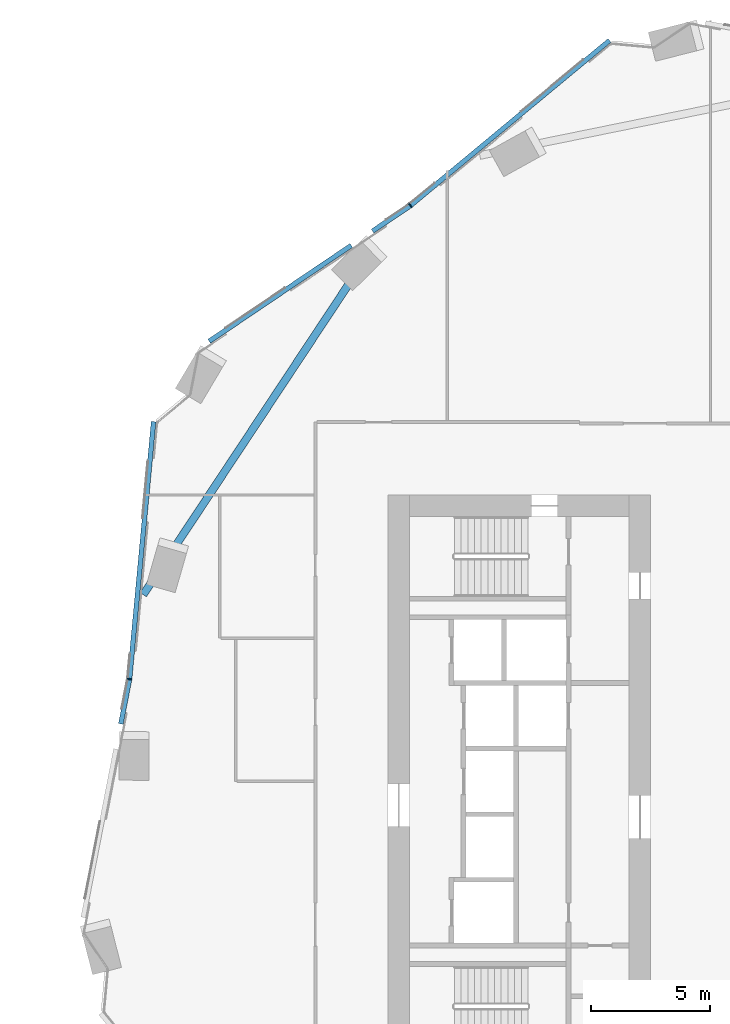
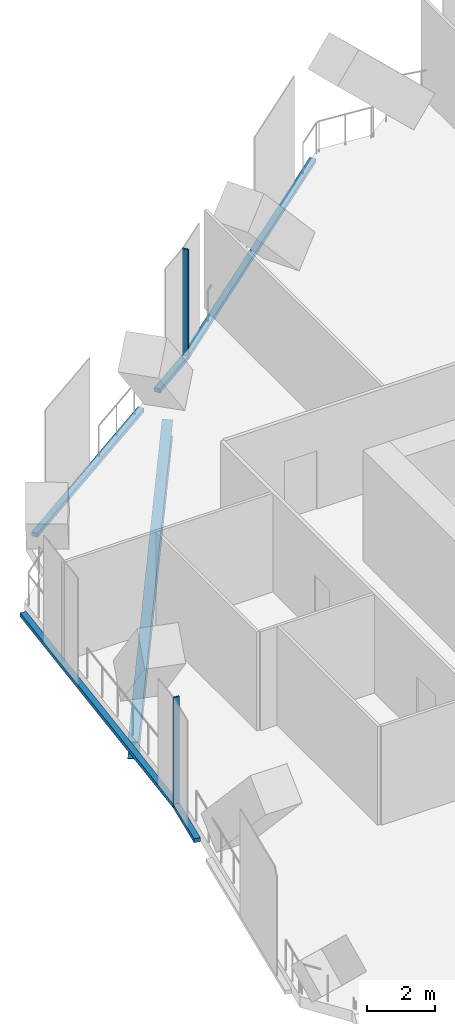
# One storey, part 9 of 28: 7 members, 1 beam, 4 elements without a shape of their own.
"""IFC4 building model written with IfcOpenShell, lengths in metres."""

from ifc_helpers import new_model, si_unit, direction, frame, origin, origin_2d, place, context, subcontext, project, spatial, rectangle, i_section, extrude, material, material_profile, profile_set, type_object, element, aggregate, save


model = new_model("IFC4")

# Units and contexts
model_context = context("Model", 3, precision=1e-05, world=origin(), true_north=direction((0.0, 1.0)))
body_context = subcontext(model_context, "Body", "Model", "MODEL_VIEW")
ifc_project = project(units=[si_unit("LENGTHUNIT", "METRE"), si_unit("AREAUNIT", "SQUARE_METRE"), si_unit("VOLUMEUNIT", "CUBIC_METRE"), si_unit("PLANEANGLEUNIT", "RADIAN"), si_unit("MASSUNIT", "GRAM", prefix="KILO")], contexts=[model_context])

# Site, building, storey
site_placement = place(None, origin())
site = spatial("IfcSite", under=ifc_project, at=site_placement, CompositionType="ELEMENT")
building_placement = place(site_placement, origin())
building = spatial("IfcBuilding", under=site, at=building_placement, Name="Orlundy Tower", CompositionType="ELEMENT")
storey_placement = place(building_placement, frame((0.0, 0.0, 163.10009765625)))
storey = spatial("IfcBuildingStorey", under=building, at=storey_placement, Name="L42", CompositionType="ELEMENT", Elevation=163.10009765625)

# Beam
ifc_material_1 = material(Name="Steel ASTM A992 Gr 50", Category="steel")
ifc_material_profile_1 = material_profile(ifc_material_1, i_section(OverallWidth=0.32373046875, OverallDepth=0.611083984375, WebThickness=0.0126953125, FlangeThickness=0.01904296875, at=origin_2d()), Name="W24X104")
ifc_profile_set_1 = profile_set([ifc_material_profile_1], Name="Steel ASTM A992 Gr 50")
beam_type = type_object("IfcBeamType", Name="CANTILEVER GIRDER beam W24X104", PredefinedType="BEAM", material=ifc_profile_set_1)
beam_placement = place(storey_placement, frame((-29.258056640625, 7.8212890625, -0.705810546875), z_axis=(0.55188459925, 0.833920493279, 0.0), x_axis=(-0.833920493279, 0.55188459925, 0.0)))
element("IfcBeam", 1, at=beam_placement, inside=storey, type_object=beam_type, Name="Cantilever girder C-H18 L42", PredefinedType="BEAM", context=body_context, shape_type="SweptSolid", body=[
    extrude(i_section(OverallWidth=0.32373046875, OverallDepth=0.611083984375, WebThickness=0.0126953125, FlangeThickness=0.01904296875, at=origin_2d()), origin(), (0.0, 0.0, 1.0), 16.64697265625),
])

# Curtain wall, member
ifc_material_2 = material(Name="Aluminium bronze anodised", Category="aluminium")
curtain_wall_type = type_object("IfcCurtainWallType", Name="CW5 wall", PredefinedType="NOTDEFINED", material=ifc_material_2)
curtain_wall_1_placement = place(storey_placement, origin())
curtain_wall_1 = element("IfcCurtainWall", 2, at=curtain_wall_1_placement, inside=storey, type_object=curtain_wall_type, Name="CW5 run 03", PredefinedType="NOTDEFINED")
ifc_material_3 = material(Name="Aluminium bronze anodised", Category="aluminium")
ifc_material_profile_2 = material_profile(ifc_material_3, rectangle(XDim=0.199951171875, YDim=0.050048828125, at=origin_2d()), Name="CW5 mullion 50x200")
ifc_profile_set_2 = profile_set([ifc_material_profile_2], Name="Aluminium bronze anodised")
member_type_1 = type_object("IfcMemberType", Name="CW5 mullion 50x200", PredefinedType="MULLION", material=ifc_profile_set_2)
member_1_placement = place(storey_placement, frame((-29.8310546875, 4.283203125, -0.400146484375), z_axis=(0.0, 0.0, 1.0), x_axis=(-0.989859275773, 0.14205144901, 0.0)))
member_1 = element("IfcMember", 3, at=member_1_placement, type_object=member_type_1, Name="CW5 mullion 5", PredefinedType="MULLION", context=body_context, shape_type="SweptSolid", body=[
    extrude(rectangle(XDim=0.199951171875, YDim=0.050048828125, at=origin_2d()), origin(), (0.0, 0.0, 1.0), 3.97998046875),
])

curtain_wall_2_placement = place(storey_placement, origin())
curtain_wall_2 = element("IfcCurtainWall", 4, at=curtain_wall_2_placement, inside=storey, type_object=curtain_wall_type, Name="CW5 run 07", PredefinedType="NOTDEFINED")
member_2_placement = place(storey_placement, frame((-18.06494140625, 24.1220703125, -0.400146484375), z_axis=(0.0, 0.0, 1.0), x_axis=(-0.599495576857, 0.800378068996, 0.0)))
member_2 = element("IfcMember", 5, at=member_2_placement, type_object=member_type_1, Name="CW5 mullion 11", PredefinedType="MULLION", context=body_context, shape_type="SweptSolid", body=[
    extrude(rectangle(XDim=0.199951171875, YDim=0.050048828125, at=origin_2d()), origin(), (0.0, 0.0, 1.0), 3.97998046875),
])

curtain_wall_3_placement = place(storey_placement, origin())
curtain_wall_3 = element("IfcCurtainWall", 6, at=curtain_wall_3_placement, inside=storey, type_object=curtain_wall_type, Name="CW5 run 02", PredefinedType="NOTDEFINED")
ifc_material_4 = material(Name="Aluminium bronze anodised", Category="aluminium")
ifc_material_profile_3 = material_profile(ifc_material_4, rectangle(XDim=0.199951171875, YDim=0.139892578125, at=origin_2d()), Name="CW5 transom 200x140")
ifc_profile_set_3 = profile_set([ifc_material_profile_3], Name="Aluminium bronze anodised")
member_type_2 = type_object("IfcMemberType", Name="CW5 transom 200x140", PredefinedType="USERDEFINED", material=ifc_profile_set_3)
member_3_placement = place(storey_placement, frame((-30.19580078125, 2.406982421875, -0.330078125), z_axis=(0.190786512363, 0.981631553436, 0.0), x_axis=(-0.981631553436, 0.190786512363, 0.0)))
member_3 = element("IfcMember", 7, at=member_3_placement, type_object=member_type_2, Name="CW5 transom", ObjectType="TRANSOM", PredefinedType="USERDEFINED", context=body_context, shape_type="SweptSolid", body=[
    extrude(rectangle(XDim=0.199951171875, YDim=0.139892578125, at=origin_2d()), origin(), (0.0, 0.0, 1.0), 1.88623046875),
])
aggregate(curtain_wall_3, [member_3])

# Member
member_4_placement = place(storey_placement, frame((-29.828857421875, 4.30810546875, -0.330078125), z_axis=(0.09296288831, 0.995669574406, 0.0), x_axis=(-0.995669574406, 0.09296288831, 0.0)))
member_4 = element("IfcMember", 8, at=member_4_placement, type_object=member_type_2, Name="CW5 transom", ObjectType="TRANSOM", PredefinedType="USERDEFINED", context=body_context, shape_type="SweptSolid", body=[
    extrude(rectangle(XDim=0.199951171875, YDim=0.139892578125, at=origin_2d()), origin(), (0.0, 0.0, 1.0), 10.8095703125),
])

aggregate(curtain_wall_1, [member_1, member_4])

# Curtain wall, members
curtain_wall_4_placement = place(storey_placement, origin())
curtain_wall_4 = element("IfcCurtainWall", 9, at=curtain_wall_4_placement, inside=storey, type_object=curtain_wall_type, Name="CW5 run 06", PredefinedType="NOTDEFINED")
member_5_placement = place(storey_placement, frame((-26.49462890625, 18.43603515625, -0.330078125), z_axis=(0.829024465341, 0.559212335223, 0.0), x_axis=(-0.559212335223, 0.829024465341, 0.0)))
member_5 = element("IfcMember", 10, at=member_5_placement, type_object=member_type_2, Name="CW5 transom", ObjectType="TRANSOM", PredefinedType="USERDEFINED", context=body_context, shape_type="SweptSolid", body=[
    extrude(rectangle(XDim=0.199951171875, YDim=0.139892578125, at=origin_2d()), origin(), (0.0, 0.0, 1.0), 7.17919921875),
])
member_6_placement = place(storey_placement, frame((-19.649658203125, 23.05322265625, -0.330078125), z_axis=(0.829031666467, 0.559201659507, 0.0), x_axis=(-0.559201659507, 0.829031666467, 0.0)))
member_6 = element("IfcMember", 11, at=member_6_placement, type_object=member_type_2, Name="CW5 transom", ObjectType="TRANSOM", PredefinedType="USERDEFINED", context=body_context, shape_type="SweptSolid", body=[
    extrude(rectangle(XDim=0.199951171875, YDim=0.139892578125, at=origin_2d()), origin(), (0.0, 0.0, 1.0), 1.886474609375),
])
aggregate(curtain_wall_4, [member_5, member_6])

# Member
member_7_placement = place(storey_placement, frame((-18.045654296875, 24.13818359375, -0.330078125), z_axis=(0.769770411514, 0.63832085471, 0.0), x_axis=(-0.63832085471, 0.769770411514, 0.0)))
member_7 = element("IfcMember", 12, at=member_7_placement, type_object=member_type_2, Name="CW5 transom", ObjectType="TRANSOM", PredefinedType="USERDEFINED", context=body_context, shape_type="SweptSolid", body=[
    extrude(rectangle(XDim=0.199951171875, YDim=0.139892578125, at=origin_2d()), origin(), (0.0, 0.0, 1.0), 10.8095703125),
])

aggregate(curtain_wall_2, [member_2, member_7])

save(model, "model.ifc")
